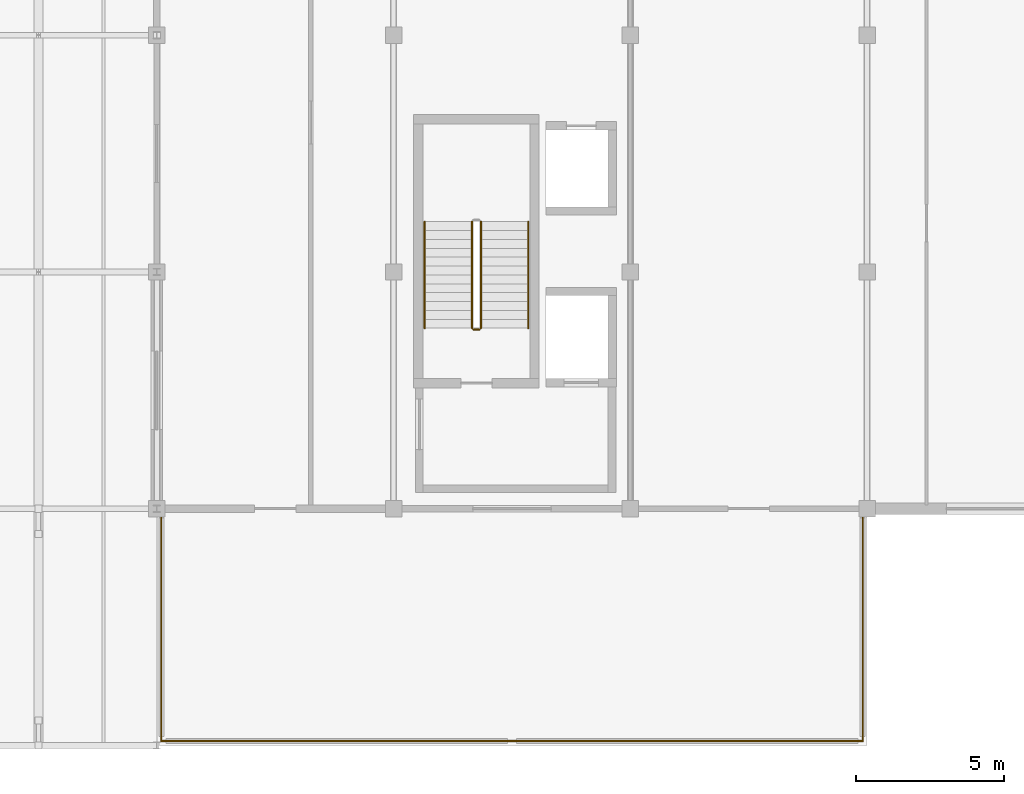
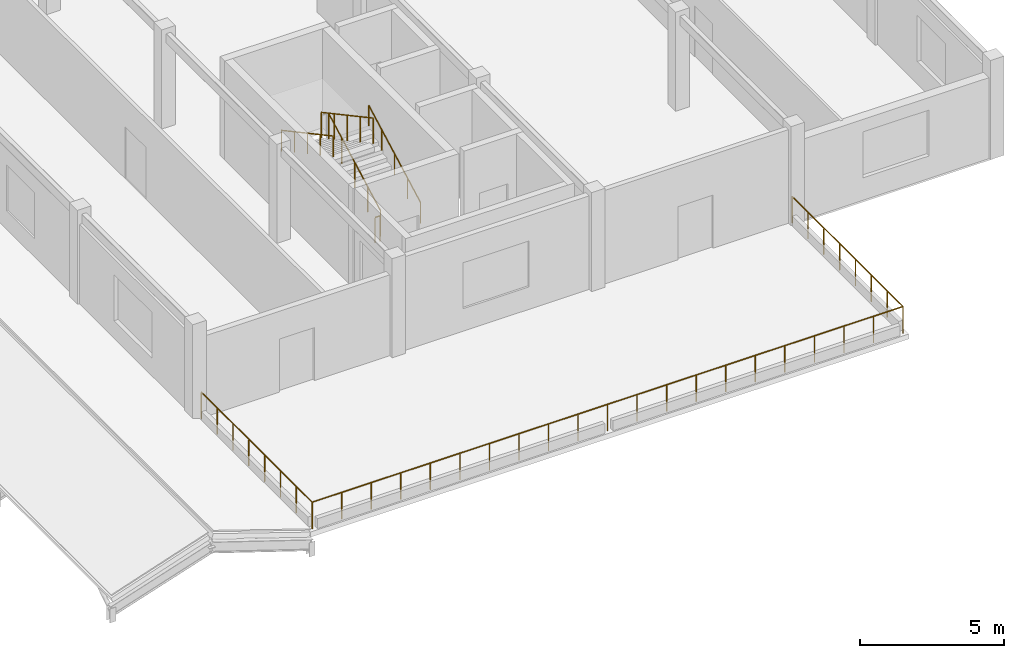
# One storey, part 7 of 9: 9 railings.
"""IFC4 building model written with IfcOpenShell, lengths in metres."""

from ifc_helpers import new_model, si_unit, direction, frame, origin, origin_2d, place, context, subcontext, project, spatial, circle, extrude, material, type_object, element, save


model = new_model("IFC4")

# Units and contexts
model_context = context("Model", 3, precision=1e-05, world=origin(), true_north=direction((0.0, 1.0)))
body_context = subcontext(model_context, "Body", "Model", "MODEL_VIEW")
ifc_project = project(units=[si_unit("LENGTHUNIT", "METRE"), si_unit("AREAUNIT", "SQUARE_METRE"), si_unit("VOLUMEUNIT", "CUBIC_METRE"), si_unit("PLANEANGLEUNIT", "RADIAN"), si_unit("MASSUNIT", "GRAM", prefix="KILO")], contexts=[model_context])

# Site, building, storey
site_placement = place(None, origin())
site = spatial("IfcSite", under=ifc_project, at=site_placement, CompositionType="ELEMENT")
building_placement = place(site_placement, origin())
building = spatial("IfcBuilding", under=site, at=building_placement, Name="Kenh Van Central Station", CompositionType="ELEMENT")
storey_placement = place(building_placement, frame((0.0, 0.0, 23.39990234375)))
storey = spatial("IfcBuildingStorey", under=building, at=storey_placement, Name="L05", CompositionType="ELEMENT", Elevation=23.39990234375)

# Railings
ifc_material = material(Name="Champagne anodised aluminium", Category="aluminium")
railing_type_1 = type_object("IfcRailingType", Name="RAIL-CORE-GRD110", PredefinedType="GUARDRAIL", material=ifc_material)
railing_1_placement = place(storey_placement, frame((154.949951171875, 30.10009765625, 0.16162109375)))
element("IfcRailing", 1, at=railing_1_placement, inside=storey, type_object=railing_type_1, Name="L05 ST-09 stair guard 1", PredefinedType="GUARDRAIL", context=body_context, shape_type="SweptSolid", body=[
    extrude(circle(Radius=0.02392578125, at=origin_2d()), frame((0.0, 0.0, 1.076171875), z_axis=(0.0, 0.880461512865, 0.474117627138), x_axis=(-1.0, 0.0, 0.0)), (0.0, 0.0, 1.0), 4.088623046875),
    extrude(circle(Radius=0.02099609375, at=origin_2d()), origin(), (0.0, 0.0, 1.0), 1.052001953125),
    extrude(circle(Radius=0.02099609375, at=origin_2d()), frame((0.0, 0.89990234375, 0.484619140625)), (0.0, 0.0, 1.0), 1.052001953125),
    extrude(circle(Radius=0.02099609375, at=origin_2d()), frame((0.0, 1.7998046875, 0.96923828125)), (0.0, 0.0, 1.0), 1.052001953125),
    extrude(circle(Radius=0.02099609375, at=origin_2d()), frame((0.0, 2.699951171875, 1.453857421875)), (0.0, 0.0, 1.0), 1.052001953125),
    extrude(circle(Radius=0.02099609375, at=origin_2d()), frame((0.0, 3.599853515625, 1.9384765625)), (0.0, 0.0, 1.0), 1.052001953125),
])
railing_2_placement = place(storey_placement, frame((154.64990234375, 33.699951171875, 2.26171875)))
element("IfcRailing", 2, at=railing_2_placement, inside=storey, type_object=railing_type_1, Name="L05 ST-09 stair guard 3", PredefinedType="GUARDRAIL", context=body_context, shape_type="SweptSolid", body=[
    extrude(circle(Radius=0.02392578125, at=origin_2d()), frame((0.0, 0.0, 1.076171875), z_axis=(0.0, -0.880461512865, 0.474117627138), x_axis=(1.0, 0.0, 0.0)), (0.0, 0.0, 1.0), 4.088623046875),
    extrude(circle(Radius=0.02099609375, at=origin_2d()), origin(), (0.0, 0.0, 1.0), 1.052001953125),
    extrude(circle(Radius=0.02099609375, at=origin_2d()), frame((0.0, -0.89990234375, 0.484619140625)), (0.0, 0.0, 1.0), 1.052001953125),
    extrude(circle(Radius=0.02099609375, at=origin_2d()), frame((0.0, -1.7998046875, 0.96923828125)), (0.0, 0.0, 1.0), 1.052001953125),
    extrude(circle(Radius=0.02099609375, at=origin_2d()), frame((0.0, -2.699951171875, 1.453857421875)), (0.0, 0.0, 1.0), 1.052001953125),
    extrude(circle(Radius=0.02099609375, at=origin_2d()), frame((0.0, -3.599853515625, 1.9384765625)), (0.0, 0.0, 1.0), 1.052001953125),
])
railing_3_placement = place(storey_placement, frame((154.89990234375, 30.050048828125, 0.0)))
element("IfcRailing", 3, at=railing_3_placement, inside=storey, type_object=railing_type_1, Name="L05 ST-09 stair guard 4", PredefinedType="GUARDRAIL", context=body_context, shape_type="SweptSolid", body=[
    extrude(circle(Radius=0.02392578125, at=origin_2d()), frame((0.0, 0.0, 1.076171875), z_axis=(-1.0, 0.0, 0.0), x_axis=(0.0, -1.0, 0.0)), (0.0, 0.0, 1.0), 0.199951171875),
    extrude(circle(Radius=0.02099609375, at=origin_2d()), origin(), (0.0, 0.0, 1.0), 1.052001953125),
    extrude(circle(Radius=0.02099609375, at=origin_2d()), frame((-0.199951171875, 0.0, 0.0)), (0.0, 0.0, 1.0), 1.052001953125),
])
railing_type_2 = type_object("IfcRailingType", Name="RAIL-CORE-HND90", PredefinedType="HANDRAIL", material=ifc_material)
railing_4_placement = place(storey_placement, frame((156.550048828125, 30.10009765625, 0.16162109375)))
element("IfcRailing", 4, at=railing_4_placement, inside=storey, type_object=railing_type_2, Name="L05 ST-09 stair handrail 1", PredefinedType="HANDRAIL", context=body_context, shape_type="SweptSolid", body=[
    extrude(circle(Radius=0.02392578125, at=origin_2d()), frame((0.0, 0.0, 0.8759765625), z_axis=(0.0, 0.880461512865, 0.474117627138), x_axis=(-1.0, 0.0, 0.0)), (0.0, 0.0, 1.0), 4.088623046875),
    extrude(circle(Radius=0.02099609375, at=origin_2d()), origin(), (0.0, 0.0, 1.0), 0.851806640625),
    extrude(circle(Radius=0.02099609375, at=origin_2d()), frame((0.0, 0.89990234375, 0.484619140625)), (0.0, 0.0, 1.0), 0.851806640625),
    extrude(circle(Radius=0.02099609375, at=origin_2d()), frame((0.0, 1.7998046875, 0.96923828125)), (0.0, 0.0, 1.0), 0.851806640625),
    extrude(circle(Radius=0.02099609375, at=origin_2d()), frame((0.0, 2.699951171875, 1.453857421875)), (0.0, 0.0, 1.0), 0.851806640625),
    extrude(circle(Radius=0.02099609375, at=origin_2d()), frame((0.0, 3.599853515625, 1.9384765625)), (0.0, 0.0, 1.0), 0.851806640625),
])
railing_5_placement = place(storey_placement, frame((153.050048828125, 33.699951171875, 2.26171875)))
element("IfcRailing", 5, at=railing_5_placement, inside=storey, type_object=railing_type_2, Name="L05 ST-09 stair handrail 2", PredefinedType="HANDRAIL", context=body_context, shape_type="SweptSolid", body=[
    extrude(circle(Radius=0.02392578125, at=origin_2d()), frame((0.0, 0.0, 0.8759765625), z_axis=(0.0, -0.880461512865, 0.474117627138), x_axis=(1.0, 0.0, 0.0)), (0.0, 0.0, 1.0), 4.088623046875),
    extrude(circle(Radius=0.02099609375, at=origin_2d()), origin(), (0.0, 0.0, 1.0), 0.851806640625),
    extrude(circle(Radius=0.02099609375, at=origin_2d()), frame((0.0, -0.89990234375, 0.484619140625)), (0.0, 0.0, 1.0), 0.851806640625),
    extrude(circle(Radius=0.02099609375, at=origin_2d()), frame((0.0, -1.7998046875, 0.96923828125)), (0.0, 0.0, 1.0), 0.851806640625),
    extrude(circle(Radius=0.02099609375, at=origin_2d()), frame((0.0, -2.699951171875, 1.453857421875)), (0.0, 0.0, 1.0), 0.851806640625),
    extrude(circle(Radius=0.02099609375, at=origin_2d()), frame((0.0, -3.599853515625, 1.9384765625)), (0.0, 0.0, 1.0), 0.851806640625),
])
railing_type_3 = type_object("IfcRailingType", Name="RAIL-TERR-GRD115", PredefinedType="GUARDRAIL", material=ifc_material)
for number, where, name in (
    (6, (144.14990234375, 16.14990234375, 0.0), "L05 terrace guardrail 15"),
    (7, (156.0, 16.14990234375, 0.0), "L05 terrace guardrail 16"),
):
    element("IfcRailing", number, at=place(storey_placement, frame(where)), inside=storey, type_object=railing_type_3, Name=name, PredefinedType="GUARDRAIL", context=body_context, shape_type="SweptSolid", body=[
        extrude(circle(Radius=0.02392578125, at=origin_2d()), frame((0.0, 0.0, 1.1259765625), z_axis=(1.0, 0.0, 0.0), x_axis=(0.0, 1.0, 0.0)), (0.0, 0.0, 1.0), 11.85009765625),
        extrude(circle(Radius=0.02099609375, at=origin_2d()), origin(), (0.0, 0.0, 1.0), 1.101806640625),
        extrude(circle(Radius=0.02099609375, at=origin_2d()), frame((1.18505859375, 0.0, 0.0)), (0.0, 0.0, 1.0), 1.101806640625),
        extrude(circle(Radius=0.02099609375, at=origin_2d()), frame((2.3701171875, 0.0, 0.0)), (0.0, 0.0, 1.0), 1.101806640625),
        extrude(circle(Radius=0.02099609375, at=origin_2d()), frame((3.554931640625, 0.0, 0.0)), (0.0, 0.0, 1.0), 1.101806640625),
        extrude(circle(Radius=0.02099609375, at=origin_2d()), frame((4.739990234375, 0.0, 0.0)), (0.0, 0.0, 1.0), 1.101806640625),
        extrude(circle(Radius=0.02099609375, at=origin_2d()), frame((5.925048828125, 0.0, 0.0)), (0.0, 0.0, 1.0), 1.101806640625),
        extrude(circle(Radius=0.02099609375, at=origin_2d()), frame((7.110107421875, 0.0, 0.0)), (0.0, 0.0, 1.0), 1.101806640625),
        extrude(circle(Radius=0.02099609375, at=origin_2d()), frame((8.295166015625, 0.0, 0.0)), (0.0, 0.0, 1.0), 1.101806640625),
        extrude(circle(Radius=0.02099609375, at=origin_2d()), frame((9.47998046875, 0.0, 0.0)), (0.0, 0.0, 1.0), 1.101806640625),
        extrude(circle(Radius=0.02099609375, at=origin_2d()), frame((10.6650390625, 0.0, 0.0)), (0.0, 0.0, 1.0), 1.101806640625),
        extrude(circle(Radius=0.02099609375, at=origin_2d()), frame((11.85009765625, 0.0, 0.0)), (0.0, 0.0, 1.0), 1.101806640625),
    ])
for number, where, name in (
    (8, (144.14990234375, 16.14990234375, 0.0), "L05 terrace guardrail 17"),
    (9, (167.85009765625, 16.14990234375, 0.0), "L05 terrace guardrail 18"),
):
    element("IfcRailing", number, at=place(storey_placement, frame(where)), inside=storey, type_object=railing_type_3, Name=name, PredefinedType="GUARDRAIL", context=body_context, shape_type="SweptSolid", body=[
        extrude(circle(Radius=0.02392578125, at=origin_2d()), frame((0.0, 0.0, 1.1259765625), z_axis=(0.0, 1.0, 0.0), x_axis=(-1.0, 0.0, 0.0)), (0.0, 0.0, 1.0), 7.7001953125),
        extrude(circle(Radius=0.02099609375, at=origin_2d()), origin(), (0.0, 0.0, 1.0), 1.101806640625),
        extrude(circle(Radius=0.02099609375, at=origin_2d()), frame((0.0, 1.10009765625, 0.0)), (0.0, 0.0, 1.0), 1.101806640625),
        extrude(circle(Radius=0.02099609375, at=origin_2d()), frame((0.0, 2.199951171875, 0.0)), (0.0, 0.0, 1.0), 1.101806640625),
        extrude(circle(Radius=0.02099609375, at=origin_2d()), frame((0.0, 3.300048828125, 0.0)), (0.0, 0.0, 1.0), 1.101806640625),
        extrude(circle(Radius=0.02099609375, at=origin_2d()), frame((0.0, 4.400146484375, 0.0)), (0.0, 0.0, 1.0), 1.101806640625),
        extrude(circle(Radius=0.02099609375, at=origin_2d()), frame((0.0, 5.500244140625, 0.0)), (0.0, 0.0, 1.0), 1.101806640625),
        extrude(circle(Radius=0.02099609375, at=origin_2d()), frame((0.0, 6.60009765625, 0.0)), (0.0, 0.0, 1.0), 1.101806640625),
        extrude(circle(Radius=0.02099609375, at=origin_2d()), frame((0.0, 7.7001953125, 0.0)), (0.0, 0.0, 1.0), 1.101806640625),
    ])

save(model, "model.ifc")
